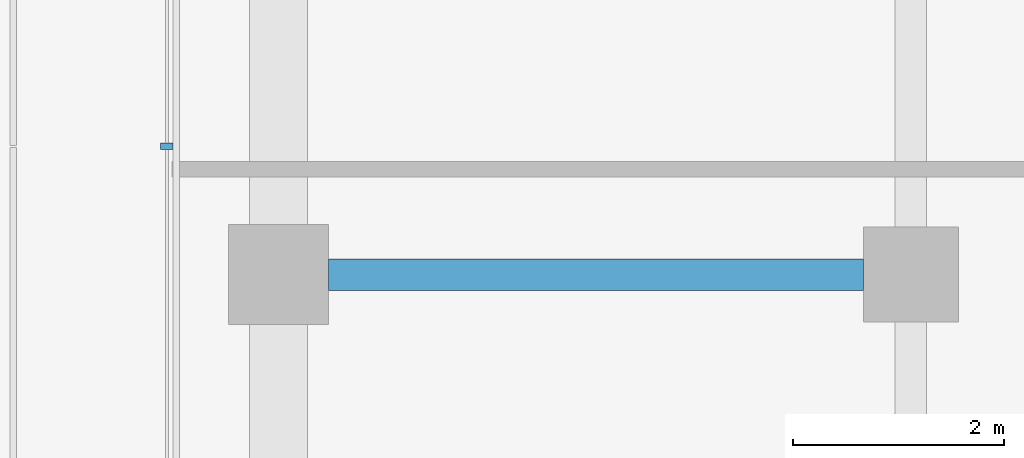
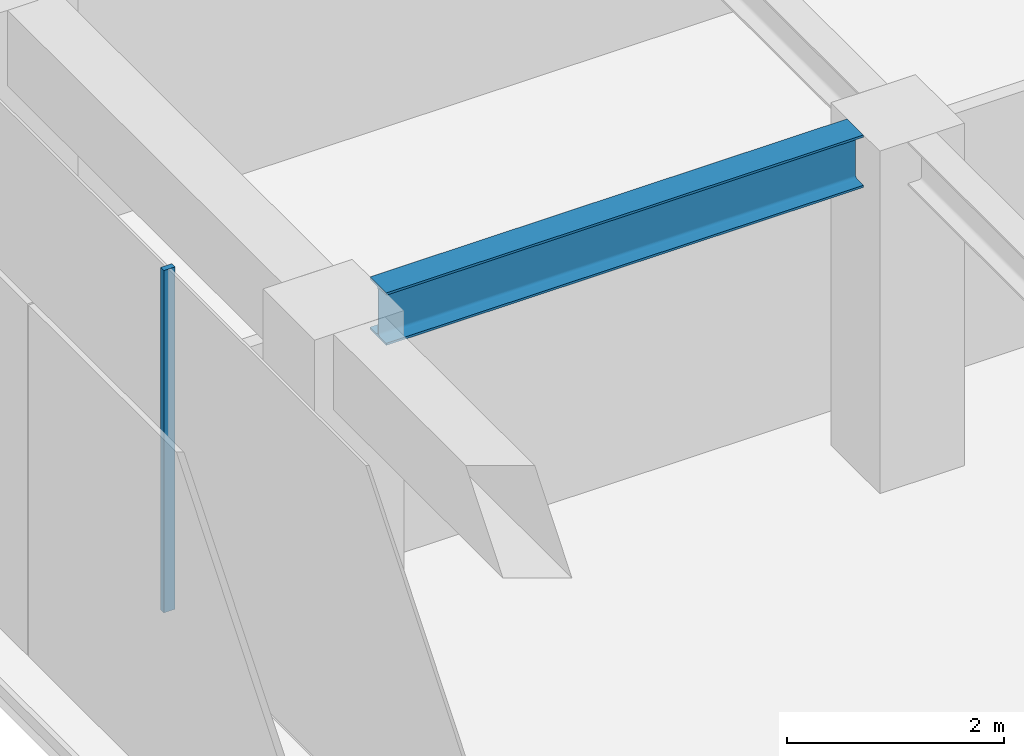
# One storey, part 10 of 23: 1 beam, 1 member, 1 element without a shape of its own.
"""IFC4 building model written with IfcOpenShell, lengths in metres."""

from ifc_helpers import new_model, si_unit, direction, frame, origin, origin_2d, place, context, subcontext, project, spatial, rectangle, i_section, extrude, material, layer, layer_set, material_profile, profile_set, type_object, element, aggregate, save


model = new_model("IFC4")

# Units and contexts
model_context = context("Model", 3, precision=1e-05, world=origin(), true_north=direction((0.0, 1.0)))
body_context = subcontext(model_context, "Body", "Model", "MODEL_VIEW")
ifc_project = project(units=[si_unit("LENGTHUNIT", "METRE"), si_unit("AREAUNIT", "SQUARE_METRE"), si_unit("VOLUMEUNIT", "CUBIC_METRE"), si_unit("PLANEANGLEUNIT", "RADIAN"), si_unit("MASSUNIT", "GRAM", prefix="KILO")], contexts=[model_context])

# Site, building, storey
site_placement = place(None, origin())
site = spatial("IfcSite", under=ifc_project, at=site_placement, CompositionType="ELEMENT")
building_placement = place(site_placement, origin())
building = spatial("IfcBuilding", under=site, at=building_placement, Name="Welwitschia Terrace Campus", CompositionType="ELEMENT")
storey_placement = place(building_placement, frame((0.0, 0.0, 146.60009765625)))
storey = spatial("IfcBuildingStorey", under=building, at=storey_placement, Name="L32", CompositionType="ELEMENT", Elevation=146.60009765625)

# Curtain wall, member
ifc_material_1 = material(Name="Bronze anodised aluminium", Category="aluminium")
ifc_layer = layer(ifc_material_1, 0.1201171875)
ifc_layer_set = layer_set([ifc_layer], Name="Bronze anodised aluminium")
curtain_wall_type = type_object("IfcCurtainWallType", Name="Curtain wall CW2 tower 6000", PredefinedType="NOTDEFINED", material=ifc_layer_set)
curtain_wall_placement = place(storey_placement, origin())
curtain_wall = element("IfcCurtainWall", 1, at=curtain_wall_placement, inside=storey, type_object=curtain_wall_type, Name="CW L32.0.0", PredefinedType="NOTDEFINED")
ifc_material_2 = material(Name="Bronze anodised aluminium", Category="aluminium")
ifc_material_profile_1 = material_profile(ifc_material_2, rectangle(XDim=0.1201171875, YDim=0.06005859375, at=origin_2d()))
ifc_profile_set_1 = profile_set([ifc_material_profile_1], Name="Bronze anodised aluminium")
member_type = type_object("IfcMemberType", Name="Mullion 60x120", PredefinedType="MULLION", material=ifc_profile_set_1)
member_placement = place(storey_placement, frame((-1.05810546875, 45.216552734375, 0.0), z_axis=(0.0, 0.0, 1.0), x_axis=(1.0, 0.0, 0.0)))
member = element("IfcMember", 2, at=member_placement, type_object=member_type, Name="Mullion L32.0.0.3", PredefinedType="MULLION", context=body_context, shape_type="SweptSolid", body=[
    extrude(rectangle(XDim=0.1201171875, YDim=0.06005859375, at=origin_2d()), origin(), (0.0, 0.0, 1.0), 3.849853515625),
])
aggregate(curtain_wall, [member])

# Beam
ifc_material_3 = material(Name="Steel S355", Category="steel")
ifc_material_profile_2 = material_profile(ifc_material_3, i_section(OverallWidth=0.300048828125, OverallDepth=0.590087890625, WebThickness=0.012939453125, FlangeThickness=0.02490234375, FilletRadius=0.027099609375, at=origin_2d()))
ifc_profile_set_2 = profile_set([ifc_material_profile_2], Name="Steel S355")
beam_type = type_object("IfcBeamType", Name="Primary beam HE 600 A", PredefinedType="BEAM", material=ifc_profile_set_2)
beam_placement = place(storey_placement, frame((0.4755859375, 44.0, 3.554931640625), z_axis=(1.0, 0.0, 0.0), x_axis=(0.0, 1.0, 0.0)))
element("IfcBeam", 3, at=beam_placement, inside=storey, type_object=beam_type, Name="Primary beam PB4", PredefinedType="BEAM", context=body_context, shape_type="SweptSolid", body=[
    extrude(i_section(OverallWidth=0.300048828125, OverallDepth=0.590087890625, WebThickness=0.012939453125, FlangeThickness=0.02490234375, FilletRadius=0.027099609375, at=origin_2d()), origin(), (0.0, 0.0, 1.0), 5.073974609375),
])

save(model, "model.ifc")
